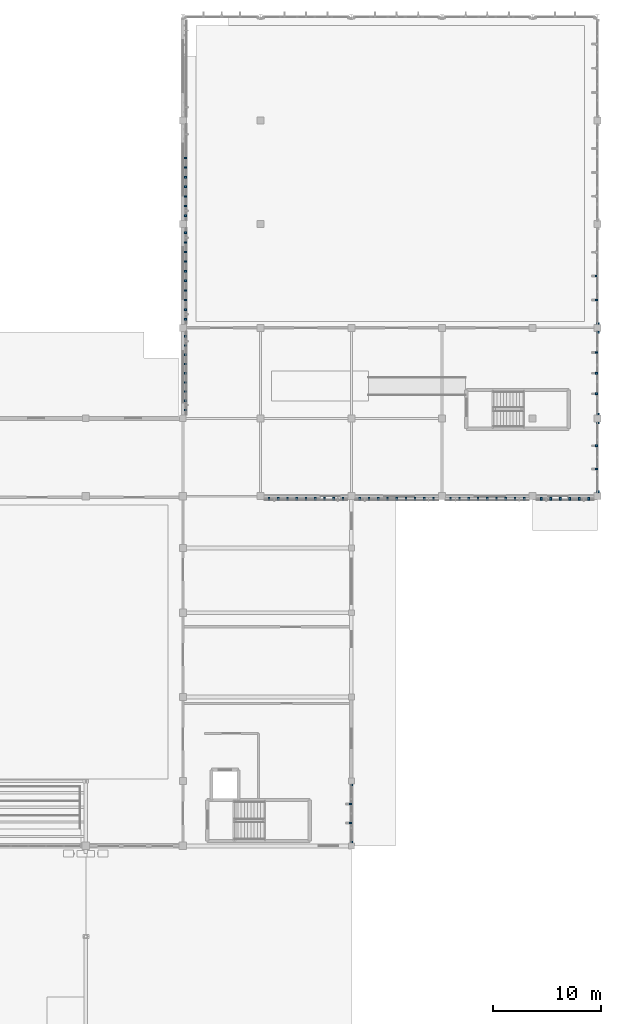
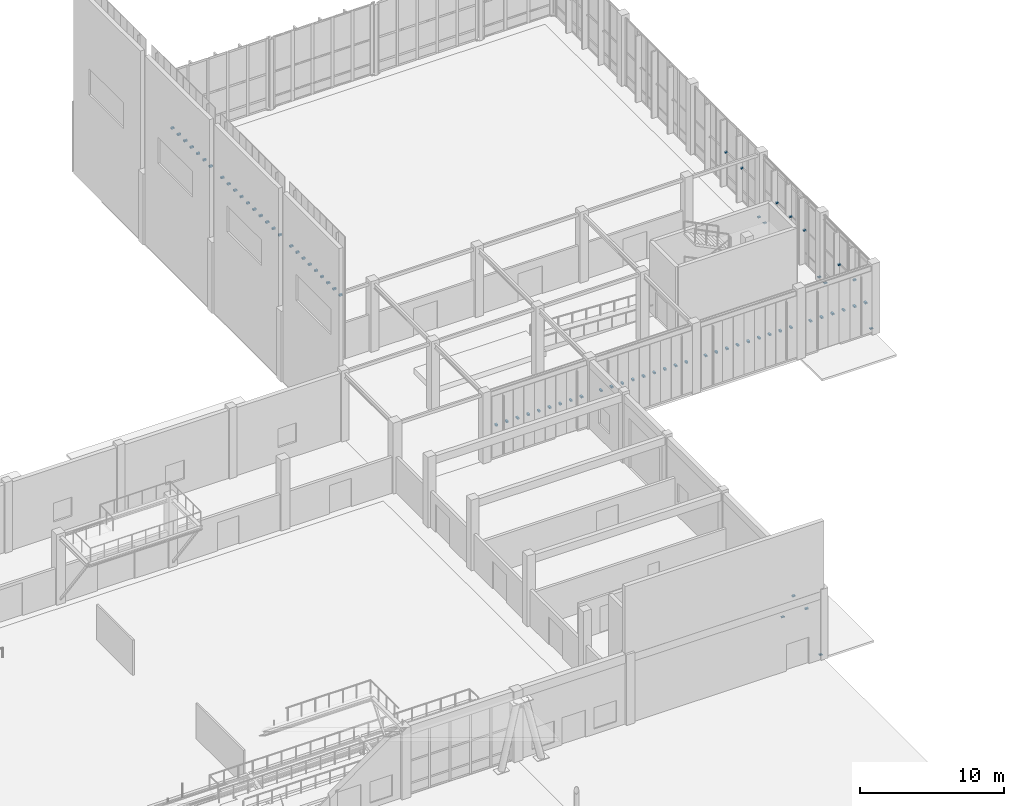
# One storey, part 92 of 110: 75 discrete accessories.
"""IFC4 building model written with IfcOpenShell, lengths in metres."""

from ifc_helpers import new_model, si_unit, direction, frame, origin, origin_2d, place, context, subcontext, project, spatial, rectangle, extrude, material, type_object, element, save


model = new_model("IFC4")

# Units and contexts
model_context = context("Model", 3, precision=1e-05, world=origin(), true_north=direction((0.0, 1.0)))
body_context = subcontext(model_context, "Body", "Model", "MODEL_VIEW")
ifc_project = project(units=[si_unit("LENGTHUNIT", "METRE"), si_unit("AREAUNIT", "SQUARE_METRE"), si_unit("VOLUMEUNIT", "CUBIC_METRE"), si_unit("PLANEANGLEUNIT", "RADIAN"), si_unit("MASSUNIT", "GRAM", prefix="KILO")], contexts=[model_context])

# Site, building, storey
site_placement = place(None, origin())
site = spatial("IfcSite", under=ifc_project, at=site_placement, CompositionType="ELEMENT")
building_placement = place(site_placement, origin())
building = spatial("IfcBuilding", under=site, at=building_placement, Name="Tizgana Railside Sports Hall", CompositionType="ELEMENT")
storey_placement = place(building_placement, origin())
storey = spatial("IfcBuildingStorey", under=building, at=storey_placement, Name="L00", CompositionType="ELEMENT", Elevation=0.0)

# Discrete accessories
ifc_material = material(Name="Steel S355J2", Category="steel")
discrete_accessory_type = type_object("IfcDiscreteAccessoryType", Name="Stainless Facade Support Bracket", PredefinedType="BRACKET", material=ifc_material)
for number, where, z_axis, x_axis, name in (
    (1, (149.43994140625, 41.159912109375, -0.010009765625), (0.0, 0.0, 1.0), (0.0, 1.0, 0.0), "L00 Curtain Wall Base Bracket"),
    (2, (149.43994140625, 46.43994140625, -0.010009765625), (0.0, 0.0, 1.0), (0.0, 1.0, 0.0), "L00 Curtain Wall Base Bracket"),
):
    element("IfcDiscreteAccessory", number, at=place(storey_placement, frame(where, z_axis=z_axis, x_axis=x_axis)), inside=storey, type_object=discrete_accessory_type, Name=name, PredefinedType="BRACKET", context=body_context, shape_type="SweptSolid", body=[
        extrude(rectangle(XDim=0.159912109375, YDim=0.219970703125, at=origin_2d()), origin(), (0.0, 0.0, 1.0), 0.06494140625),
    ])
for number, where, z_axis, x_axis, name in (
    (3, (149.320068359375, 42.909912109375, 2.842529296875), (0.0, 0.0, 1.0), (0.0, 1.0, 0.0), "L00 Fin Bracket"),
    (4, (149.320068359375, 44.68994140625, 2.842529296875), (0.0, 0.0, 1.0), (0.0, 1.0, 0.0), "L00 Fin Bracket"),
):
    element("IfcDiscreteAccessory", number, at=place(storey_placement, frame(where, z_axis=z_axis, x_axis=x_axis)), inside=storey, type_object=discrete_accessory_type, Name=name, PredefinedType="BRACKET", context=body_context, shape_type="SweptSolid", body=[
        extrude(rectangle(XDim=0.159912109375, YDim=0.219970703125, at=origin_2d()), origin(), (0.0, 0.0, 1.0), 0.1201171875),
    ])
for number, where, z_axis, x_axis, name in (
    (5, (172.239990234375, 73.610107421875, -0.010009765625), (0.0, 0.0, 1.0), (0.0, 1.0, 0.0), "L00 Curtain Wall Base Bracket"),
    (6, (172.239990234375, 79.989990234375, -0.010009765625), (0.0, 0.0, 1.0), (0.0, 1.0, 0.0), "L00 Curtain Wall Base Bracket"),
):
    element("IfcDiscreteAccessory", number, at=place(storey_placement, frame(where, z_axis=z_axis, x_axis=x_axis)), inside=storey, type_object=discrete_accessory_type, Name=name, PredefinedType="BRACKET", context=body_context, shape_type="SweptSolid", body=[
        extrude(rectangle(XDim=0.159912109375, YDim=0.219970703125, at=origin_2d()), origin(), (0.0, 0.0, 1.0), 0.06494140625),
    ])
for number, where, z_axis, x_axis, name in (
    (7, (172.1201171875, 75.726806640625, 2.842529296875), (0.0, 0.0, 1.0), (0.0, 1.0, 0.0), "L00 Fin Bracket"),
    (8, (172.1201171875, 77.873291015625, 2.842529296875), (0.0, 0.0, 1.0), (0.0, 1.0, 0.0), "L00 Fin Bracket"),
):
    element("IfcDiscreteAccessory", number, at=place(storey_placement, frame(where, z_axis=z_axis, x_axis=x_axis)), inside=storey, type_object=discrete_accessory_type, Name=name, PredefinedType="BRACKET", context=body_context, shape_type="SweptSolid", body=[
        extrude(rectangle(XDim=0.159912109375, YDim=0.219970703125, at=origin_2d()), origin(), (0.0, 0.0, 1.0), 0.1201171875),
    ])
for number, where, z_axis, x_axis, name in (
    (9, (172.239990234375, 80.8173828125, -0.010009765625), (0.0, 0.0, 1.0), (0.0, 1.0, 0.0), "L00 Curtain Wall Base Bracket"),
    (10, (172.239990234375, 88.382568359375, -0.010009765625), (0.0, 0.0, 1.0), (0.0, 1.0, 0.0), "L00 Curtain Wall Base Bracket"),
):
    element("IfcDiscreteAccessory", number, at=place(storey_placement, frame(where, z_axis=z_axis, x_axis=x_axis)), inside=storey, type_object=discrete_accessory_type, Name=name, PredefinedType="BRACKET", context=body_context, shape_type="SweptSolid", body=[
        extrude(rectangle(XDim=0.159912109375, YDim=0.219970703125, at=origin_2d()), origin(), (0.0, 0.0, 1.0), 0.06494140625),
    ])
for number, where, z_axis, x_axis, name in (
    (11, (172.1201171875, 82.68994140625, 2.842529296875), (0.0, 0.0, 1.0), (0.0, 1.0, 0.0), "L00 Fin Bracket"),
    (12, (172.1201171875, 84.60009765625, 2.842529296875), (0.0, 0.0, 1.0), (0.0, 1.0, 0.0), "L00 Fin Bracket"),
    (13, (172.1201171875, 86.510009765625, 2.842529296875), (0.0, 0.0, 1.0), (0.0, 1.0, 0.0), "L00 Fin Bracket"),
):
    element("IfcDiscreteAccessory", number, at=place(storey_placement, frame(where, z_axis=z_axis, x_axis=x_axis)), inside=storey, type_object=discrete_accessory_type, Name=name, PredefinedType="BRACKET", context=body_context, shape_type="SweptSolid", body=[
        extrude(rectangle(XDim=0.159912109375, YDim=0.219970703125, at=origin_2d()), origin(), (0.0, 0.0, 1.0), 0.1201171875),
    ])
discrete_accessory_placement = place(storey_placement, frame((172.239990234375, 89.2099609375, -0.010009765625), z_axis=(0.0, 0.0, 1.0), x_axis=(0.0, 1.0, 0.0)))
element("IfcDiscreteAccessory", 14, at=discrete_accessory_placement, inside=storey, type_object=discrete_accessory_type, Name="L00 Curtain Wall Base Bracket", PredefinedType="BRACKET", context=body_context, shape_type="SweptSolid", body=[
    extrude(rectangle(XDim=0.159912109375, YDim=0.219970703125, at=origin_2d()), origin(), (0.0, 0.0, 1.0), 0.06494140625),
])
for number, where, z_axis, x_axis, name in (
    (15, (172.1201171875, 91.389892578125, 2.842529296875), (0.0, 0.0, 1.0), (0.0, 1.0, 0.0), "L00 Fin Bracket"),
    (16, (172.1201171875, 93.60009765625, 2.842529296875), (0.0, 0.0, 1.0), (0.0, 1.0, 0.0), "L00 Fin Bracket"),
):
    element("IfcDiscreteAccessory", number, at=place(storey_placement, frame(where, z_axis=z_axis, x_axis=x_axis)), inside=storey, type_object=discrete_accessory_type, Name=name, PredefinedType="BRACKET", context=body_context, shape_type="SweptSolid", body=[
        extrude(rectangle(XDim=0.159912109375, YDim=0.219970703125, at=origin_2d()), origin(), (0.0, 0.0, 1.0), 0.1201171875),
    ])
for number, where, z_axis, x_axis, name in (
    (17, (148.622314453125, 72.969970703125, 2.830078125), (0.0, 0.0, 1.0), (-1.0, 0.0, 0.0), "L00 Screen Bracket"),
    (18, (147.7666015625, 72.969970703125, 2.830078125), (0.0, 0.0, 1.0), (-1.0, 0.0, 0.0), "L00 Screen Bracket"),
    (19, (146.9111328125, 72.969970703125, 2.830078125), (0.0, 0.0, 1.0), (-1.0, 0.0, 0.0), "L00 Screen Bracket"),
    (20, (146.0556640625, 72.969970703125, 2.830078125), (0.0, 0.0, 1.0), (-1.0, 0.0, 0.0), "L00 Screen Bracket"),
    (21, (145.199951171875, 72.969970703125, 2.830078125), (0.0, 0.0, 1.0), (-1.0, 0.0, 0.0), "L00 Screen Bracket"),
    (22, (144.344482421875, 72.969970703125, 2.830078125), (0.0, 0.0, 1.0), (-1.0, 0.0, 0.0), "L00 Screen Bracket"),
    (23, (143.489013671875, 72.969970703125, 2.830078125), (0.0, 0.0, 1.0), (-1.0, 0.0, 0.0), "L00 Screen Bracket"),
    (24, (142.63330078125, 72.969970703125, 2.830078125), (0.0, 0.0, 1.0), (-1.0, 0.0, 0.0), "L00 Screen Bracket"),
    (25, (141.77783203125, 72.969970703125, 2.830078125), (0.0, 0.0, 1.0), (-1.0, 0.0, 0.0), "L00 Screen Bracket"),
    (26, (157.022216796875, 72.969970703125, 2.830078125), (0.0, 0.0, 1.0), (-1.0, 0.0, 0.0), "L00 Screen Bracket"),
    (27, (156.166748046875, 72.969970703125, 2.830078125), (0.0, 0.0, 1.0), (-1.0, 0.0, 0.0), "L00 Screen Bracket"),
    (28, (155.31103515625, 72.969970703125, 2.830078125), (0.0, 0.0, 1.0), (-1.0, 0.0, 0.0), "L00 Screen Bracket"),
    (29, (154.45556640625, 72.969970703125, 2.830078125), (0.0, 0.0, 1.0), (-1.0, 0.0, 0.0), "L00 Screen Bracket"),
    (30, (153.60009765625, 72.969970703125, 2.830078125), (0.0, 0.0, 1.0), (-1.0, 0.0, 0.0), "L00 Screen Bracket"),
    (31, (152.744384765625, 72.969970703125, 2.830078125), (0.0, 0.0, 1.0), (-1.0, 0.0, 0.0), "L00 Screen Bracket"),
    (32, (151.888916015625, 72.969970703125, 2.830078125), (0.0, 0.0, 1.0), (-1.0, 0.0, 0.0), "L00 Screen Bracket"),
    (33, (151.033203125, 72.969970703125, 2.830078125), (0.0, 0.0, 1.0), (-1.0, 0.0, 0.0), "L00 Screen Bracket"),
    (34, (150.177734375, 72.969970703125, 2.830078125), (0.0, 0.0, 1.0), (-1.0, 0.0, 0.0), "L00 Screen Bracket"),
    (35, (165.422119140625, 72.969970703125, 2.830078125), (0.0, 0.0, 1.0), (-1.0, 0.0, 0.0), "L00 Screen Bracket"),
    (36, (164.566650390625, 72.969970703125, 2.830078125), (0.0, 0.0, 1.0), (-1.0, 0.0, 0.0), "L00 Screen Bracket"),
    (37, (163.711181640625, 72.969970703125, 2.830078125), (0.0, 0.0, 1.0), (-1.0, 0.0, 0.0), "L00 Screen Bracket"),
    (38, (162.855712890625, 72.969970703125, 2.830078125), (0.0, 0.0, 1.0), (-1.0, 0.0, 0.0), "L00 Screen Bracket"),
    (39, (162.0, 72.969970703125, 2.830078125), (0.0, 0.0, 1.0), (-1.0, 0.0, 0.0), "L00 Screen Bracket"),
    (40, (161.144287109375, 72.969970703125, 2.830078125), (0.0, 0.0, 1.0), (-1.0, 0.0, 0.0), "L00 Screen Bracket"),
    (41, (160.288818359375, 72.969970703125, 2.830078125), (0.0, 0.0, 1.0), (-1.0, 0.0, 0.0), "L00 Screen Bracket"),
    (42, (159.433349609375, 72.969970703125, 2.830078125), (0.0, 0.0, 1.0), (-1.0, 0.0, 0.0), "L00 Screen Bracket"),
    (43, (158.577880859375, 72.969970703125, 2.830078125), (0.0, 0.0, 1.0), (-1.0, 0.0, 0.0), "L00 Screen Bracket"),
    (44, (171.408203125, 72.969970703125, 2.830078125), (0.0, 0.0, 1.0), (-1.0, 0.0, 0.0), "L00 Screen Bracket"),
    (45, (170.52490234375, 72.969970703125, 2.830078125), (0.0, 0.0, 1.0), (-1.0, 0.0, 0.0), "L00 Screen Bracket"),
    (46, (169.6416015625, 72.969970703125, 2.830078125), (0.0, 0.0, 1.0), (-1.0, 0.0, 0.0), "L00 Screen Bracket"),
    (47, (168.75830078125, 72.969970703125, 2.830078125), (0.0, 0.0, 1.0), (-1.0, 0.0, 0.0), "L00 Screen Bracket"),
    (48, (167.875, 72.969970703125, 2.830078125), (0.0, 0.0, 1.0), (-1.0, 0.0, 0.0), "L00 Screen Bracket"),
    (49, (166.99169921875, 72.969970703125, 2.830078125), (0.0, 0.0, 1.0), (-1.0, 0.0, 0.0), "L00 Screen Bracket"),
    (50, (134.030029296875, 88.022216796875, 11.580078125), (0.0, 0.0, 1.0), (0.0, -1.0, 0.0), "L00 Screen Bracket"),
    (51, (134.030029296875, 87.166748046875, 11.580078125), (0.0, 0.0, 1.0), (0.0, -1.0, 0.0), "L00 Screen Bracket"),
    (52, (134.030029296875, 86.31103515625, 11.580078125), (0.0, 0.0, 1.0), (0.0, -1.0, 0.0), "L00 Screen Bracket"),
    (53, (134.030029296875, 85.45556640625, 11.580078125), (0.0, 0.0, 1.0), (0.0, -1.0, 0.0), "L00 Screen Bracket"),
    (54, (134.030029296875, 84.60009765625, 11.580078125), (0.0, 0.0, 1.0), (0.0, -1.0, 0.0), "L00 Screen Bracket"),
    (55, (134.030029296875, 83.744384765625, 11.580078125), (0.0, 0.0, 1.0), (0.0, -1.0, 0.0), "L00 Screen Bracket"),
    (56, (134.030029296875, 82.888916015625, 11.580078125), (0.0, 0.0, 1.0), (0.0, -1.0, 0.0), "L00 Screen Bracket"),
    (57, (134.030029296875, 82.033203125, 11.580078125), (0.0, 0.0, 1.0), (0.0, -1.0, 0.0), "L00 Screen Bracket"),
    (58, (134.030029296875, 81.177734375, 11.580078125), (0.0, 0.0, 1.0), (0.0, -1.0, 0.0), "L00 Screen Bracket"),
    (59, (134.030029296875, 97.60498046875, 11.580078125), (0.0, 0.0, 1.0), (0.0, -1.0, 0.0), "L00 Screen Bracket"),
    (60, (134.030029296875, 96.715087890625, 11.580078125), (0.0, 0.0, 1.0), (0.0, -1.0, 0.0), "L00 Screen Bracket"),
    (61, (134.030029296875, 95.824951171875, 11.580078125), (0.0, 0.0, 1.0), (0.0, -1.0, 0.0), "L00 Screen Bracket"),
    (62, (134.030029296875, 94.93505859375, 11.580078125), (0.0, 0.0, 1.0), (0.0, -1.0, 0.0), "L00 Screen Bracket"),
    (63, (134.030029296875, 94.044921875, 11.580078125), (0.0, 0.0, 1.0), (0.0, -1.0, 0.0), "L00 Screen Bracket"),
    (64, (134.030029296875, 93.155029296875, 11.580078125), (0.0, 0.0, 1.0), (0.0, -1.0, 0.0), "L00 Screen Bracket"),
    (65, (134.030029296875, 92.264892578125, 11.580078125), (0.0, 0.0, 1.0), (0.0, -1.0, 0.0), "L00 Screen Bracket"),
    (66, (134.030029296875, 91.375, 11.580078125), (0.0, 0.0, 1.0), (0.0, -1.0, 0.0), "L00 Screen Bracket"),
    (67, (134.030029296875, 90.485107421875, 11.580078125), (0.0, 0.0, 1.0), (0.0, -1.0, 0.0), "L00 Screen Bracket"),
    (68, (134.030029296875, 89.594970703125, 11.580078125), (0.0, 0.0, 1.0), (0.0, -1.0, 0.0), "L00 Screen Bracket"),
    (69, (134.030029296875, 104.534912109375, 11.580078125), (0.0, 0.0, 1.0), (0.0, -1.0, 0.0), "L00 Screen Bracket"),
    (70, (134.030029296875, 103.64501953125, 11.580078125), (0.0, 0.0, 1.0), (0.0, -1.0, 0.0), "L00 Screen Bracket"),
    (71, (134.030029296875, 102.7548828125, 11.580078125), (0.0, 0.0, 1.0), (0.0, -1.0, 0.0), "L00 Screen Bracket"),
    (72, (134.030029296875, 101.864990234375, 11.580078125), (0.0, 0.0, 1.0), (0.0, -1.0, 0.0), "L00 Screen Bracket"),
    (73, (134.030029296875, 100.97509765625, 11.580078125), (0.0, 0.0, 1.0), (0.0, -1.0, 0.0), "L00 Screen Bracket"),
    (74, (134.030029296875, 100.0849609375, 11.580078125), (0.0, 0.0, 1.0), (0.0, -1.0, 0.0), "L00 Screen Bracket"),
    (75, (134.030029296875, 99.195068359375, 11.580078125), (0.0, 0.0, 1.0), (0.0, -1.0, 0.0), "L00 Screen Bracket"),
):
    element("IfcDiscreteAccessory", number, at=place(storey_placement, frame(where, z_axis=z_axis, x_axis=x_axis)), inside=storey, type_object=discrete_accessory_type, Name=name, PredefinedType="BRACKET", context=body_context, shape_type="SweptSolid", body=[
        extrude(rectangle(XDim=0.159912109375, YDim=0.25, at=origin_2d()), origin(), (0.0, 0.0, 1.0), 0.139892578125),
    ])

save(model, "model.ifc")
